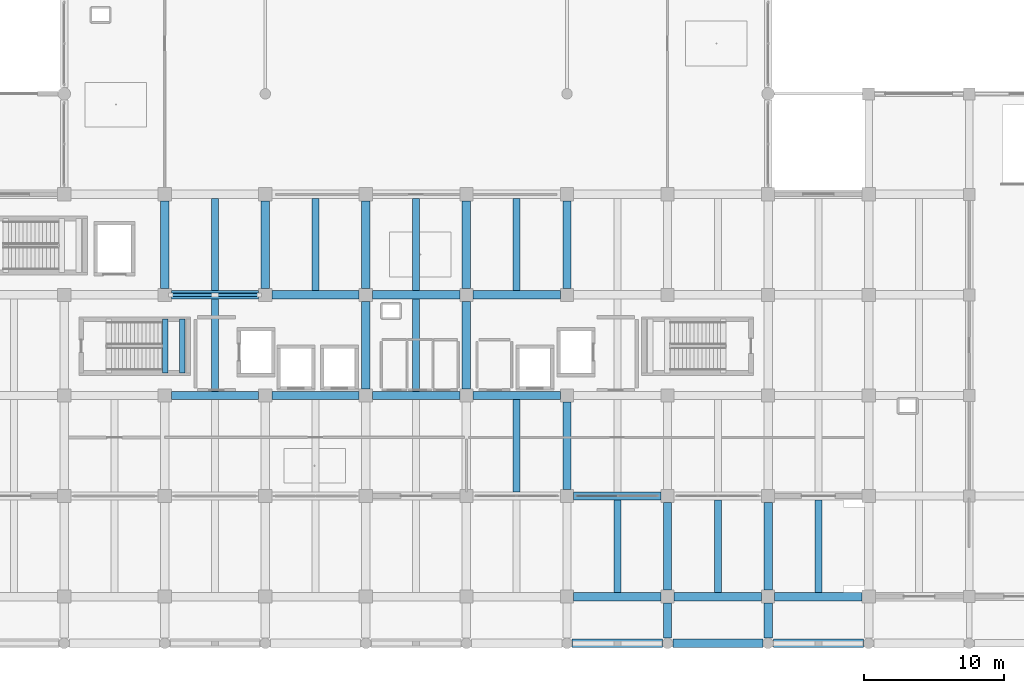
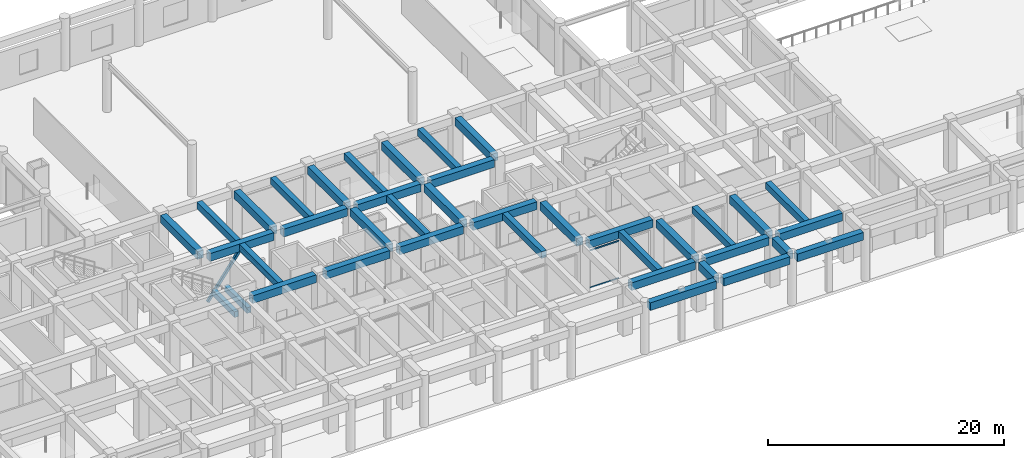
# One storey, part 13 of 56: 39 beams, 4 members, 1 element without a shape of its own.
"""IFC4 building model written with IfcOpenShell, lengths in metres."""

from ifc_helpers import new_model, si_unit, direction, frame, origin, origin_2d, place, context, subcontext, project, spatial, rectangle, hollow_rectangle, extrude, material, material_profile, profile_set, type_object, element, aggregate, save


model = new_model("IFC4")

# Units and contexts
model_context = context("Model", 3, precision=1e-05, world=origin(), true_north=direction((0.0, 1.0)))
body_context = subcontext(model_context, "Body", "Model", "MODEL_VIEW")
ifc_project = project(units=[si_unit("LENGTHUNIT", "METRE"), si_unit("AREAUNIT", "SQUARE_METRE"), si_unit("VOLUMEUNIT", "CUBIC_METRE"), si_unit("PLANEANGLEUNIT", "RADIAN"), si_unit("MASSUNIT", "GRAM", prefix="KILO")], contexts=[model_context])

# Site, building, storey
site_placement = place(None, origin())
site = spatial("IfcSite", under=ifc_project, at=site_placement, CompositionType="ELEMENT")
building_placement = place(site_placement, origin())
building = spatial("IfcBuilding", under=site, at=building_placement, Name="Kazehaya Institute of Natural Sciences", CompositionType="ELEMENT")
storey_placement = place(building_placement, origin())
storey = spatial("IfcBuildingStorey", under=building, at=storey_placement, Name="L00", CompositionType="ELEMENT", Elevation=0.0)

# Beams
ifc_material_1 = material(Name="Concrete Fc36", Category="concrete")
ifc_material_profile_1 = material_profile(ifc_material_1, rectangle(XDim=0.39990234375, YDim=0.60009765625, at=origin_2d()), Name="RC-400x600")
ifc_profile_set_1 = profile_set([ifc_material_profile_1], Name="Concrete Fc36")
beam_type_1 = type_object("IfcBeamType", Name="BM-B-400x600", PredefinedType="BEAM", material=ifc_profile_set_1)
for number, where, z_axis, x_axis, name in (
    (1, (69.030029296875, 22.820068359375, 2.239990234375), (0.0, 1.0, 0.0), (-1.0, 0.0, 0.0), "L00 ST-1 landing beam 1"),
    (2, (70.25, 22.820068359375, 2.239990234375), (0.0, 1.0, 0.0), (-1.0, 0.0, 0.0), "L00 ST-1 landing beam 2"),
):
    element("IfcBeam", number, at=place(storey_placement, frame(where, z_axis=z_axis, x_axis=x_axis)), inside=storey, type_object=beam_type_1, Name=name, PredefinedType="BEAM", context=body_context, shape_type="SweptSolid", body=[
        extrude(rectangle(XDim=0.39990234375, YDim=0.60009765625, at=origin_2d()), origin(), (0.0, 0.0, 1.0), 3.83984375),
    ])
ifc_material_profile_2 = material_profile(ifc_material_1, rectangle(XDim=0.60009765625, YDim=0.800048828125, at=origin_2d()), Name="RC-600x800")
ifc_profile_set_2 = profile_set([ifc_material_profile_2], Name="Concrete Fc36")
beam_type_2 = type_object("IfcBeamType", Name="BM-G-600x800", PredefinedType="BEAM", material=ifc_profile_set_2)
for number, where, z_axis, x_axis, name in (
    (3, (98.175048828125, 3.449951171875, 4.72998046875), (1.0, 0.0, 0.0), (0.0, 1.0, 0.0), "L00 primary X girder BMX-L00-978-34"),
    (4, (105.375, 3.449951171875, 4.72998046875), (1.0, 0.0, 0.0), (0.0, 1.0, 0.0), "L00 primary X girder BMX-L00-1050-34"),
    (5, (112.574951171875, 3.449951171875, 4.72998046875), (1.0, 0.0, 0.0), (0.0, 1.0, 0.0), "L00 primary X girder BMX-L00-1122-34"),
):
    element("IfcBeam", number, at=place(storey_placement, frame(where, z_axis=z_axis, x_axis=x_axis)), inside=storey, type_object=beam_type_2, Name=name, PredefinedType="BEAM", context=body_context, shape_type="SweptSolid", body=[
        extrude(rectangle(XDim=0.60009765625, YDim=0.800048828125, at=origin_2d()), origin(), (0.0, 0.0, 1.0), 6.449951171875),
    ])
for number, where, z_axis, x_axis, name in (
    (6, (98.27490234375, 6.800048828125, 4.72998046875), (1.0, 0.0, 0.0), (0.0, 1.0, 0.0), "L00 primary X girder BMX-L00-978-68"),
    (7, (105.47509765625, 6.800048828125, 4.72998046875), (1.0, 0.0, 0.0), (0.0, 1.0, 0.0), "L00 primary X girder BMX-L00-1050-68"),
    (8, (112.675048828125, 6.800048828125, 4.72998046875), (1.0, 0.0, 0.0), (0.0, 1.0, 0.0), "L00 primary X girder BMX-L00-1122-68"),
    (9, (98.27490234375, 14.0, 4.72998046875), (1.0, 0.0, 0.0), (0.0, 1.0, 0.0), "L00 primary X girder BMX-L00-978-140"),
    (10, (69.47509765625, 21.199951171875, 4.72998046875), (1.0, 0.0, 0.0), (0.0, 1.0, 0.0), "L00 primary X girder BMX-L00-690-212"),
    (11, (76.675048828125, 21.199951171875, 4.72998046875), (1.0, 0.0, 0.0), (0.0, 1.0, 0.0), "L00 primary X girder BMX-L00-762-212"),
    (12, (83.875, 21.199951171875, 4.72998046875), (1.0, 0.0, 0.0), (0.0, 1.0, 0.0), "L00 primary X girder BMX-L00-834-212"),
    (13, (91.074951171875, 21.199951171875, 4.72998046875), (1.0, 0.0, 0.0), (0.0, 1.0, 0.0), "L00 primary X girder BMX-L00-906-212"),
    (14, (69.47509765625, 28.39990234375, 4.72998046875), (1.0, 0.0, 0.0), (0.0, 1.0, 0.0), "L00 primary X girder BMX-L00-690-284"),
    (15, (76.675048828125, 28.39990234375, 4.72998046875), (1.0, 0.0, 0.0), (0.0, 1.0, 0.0), "L00 primary X girder BMX-L00-762-284"),
    (16, (83.875, 28.39990234375, 4.72998046875), (1.0, 0.0, 0.0), (0.0, 1.0, 0.0), "L00 primary X girder BMX-L00-834-284"),
    (17, (91.074951171875, 28.39990234375, 4.72998046875), (1.0, 0.0, 0.0), (0.0, 1.0, 0.0), "L00 primary X girder BMX-L00-906-284"),
    (18, (69.0, 28.875, 4.72998046875), (0.0, 1.0, 0.0), (-1.0, 0.0, 0.0), "L00 primary Y girder BMY-L00-690-284"),
    (19, (76.199951171875, 28.875, 4.72998046875), (0.0, 1.0, 0.0), (-1.0, 0.0, 0.0), "L00 primary Y girder BMY-L00-762-284"),
    (20, (83.39990234375, 21.675048828125, 4.72998046875), (0.0, 1.0, 0.0), (-1.0, 0.0, 0.0), "L00 primary Y girder BMY-L00-834-212"),
    (21, (83.39990234375, 28.875, 4.72998046875), (0.0, 1.0, 0.0), (-1.0, 0.0, 0.0), "L00 primary Y girder BMY-L00-834-284"),
    (22, (90.60009765625, 21.675048828125, 4.72998046875), (0.0, 1.0, 0.0), (-1.0, 0.0, 0.0), "L00 primary Y girder BMY-L00-906-212"),
    (23, (90.60009765625, 28.875, 4.72998046875), (0.0, 1.0, 0.0), (-1.0, 0.0, 0.0), "L00 primary Y girder BMY-L00-906-284"),
    (24, (97.800048828125, 14.47509765625, 4.72998046875), (0.0, 1.0, 0.0), (-1.0, 0.0, 0.0), "L00 primary Y girder BMY-L00-978-140"),
    (25, (97.800048828125, 28.875, 4.72998046875), (0.0, 1.0, 0.0), (-1.0, 0.0, 0.0), "L00 primary Y girder BMY-L00-978-284"),
):
    element("IfcBeam", number, at=place(storey_placement, frame(where, z_axis=z_axis, x_axis=x_axis)), inside=storey, type_object=beam_type_2, Name=name, PredefinedType="BEAM", context=body_context, shape_type="SweptSolid", body=[
        extrude(rectangle(XDim=0.60009765625, YDim=0.800048828125, at=origin_2d()), origin(), (0.0, 0.0, 1.0), 6.25),
    ])
beam_1_placement = place(storey_placement, frame((105.0, 3.824951171875, 4.72998046875), z_axis=(0.0, 1.0, 0.0), x_axis=(-1.0, 0.0, 0.0)))
element("IfcBeam", 26, at=beam_1_placement, inside=storey, type_object=beam_type_2, Name="L00 primary Y girder BMY-L00-1050-34", PredefinedType="BEAM", context=body_context, shape_type="SweptSolid", body=[
    extrude(rectangle(XDim=0.60009765625, YDim=0.800048828125, at=origin_2d()), origin(), (0.0, 0.0, 1.0), 2.5),
])
beam_2_placement = place(storey_placement, frame((105.0, 7.27490234375, 4.72998046875), z_axis=(0.0, 1.0, 0.0), x_axis=(-1.0, 0.0, 0.0)))
element("IfcBeam", 27, at=beam_2_placement, inside=storey, type_object=beam_type_2, Name="L00 primary Y girder BMY-L00-1050-68", PredefinedType="BEAM", context=body_context, shape_type="SweptSolid", body=[
    extrude(rectangle(XDim=0.60009765625, YDim=0.800048828125, at=origin_2d()), origin(), (0.0, 0.0, 1.0), 6.25),
])
beam_3_placement = place(storey_placement, frame((112.199951171875, 3.824951171875, 4.72998046875), z_axis=(0.0, 1.0, 0.0), x_axis=(-1.0, 0.0, 0.0)))
element("IfcBeam", 28, at=beam_3_placement, inside=storey, type_object=beam_type_2, Name="L00 primary Y girder BMY-L00-1122-34", PredefinedType="BEAM", context=body_context, shape_type="SweptSolid", body=[
    extrude(rectangle(XDim=0.60009765625, YDim=0.800048828125, at=origin_2d()), origin(), (0.0, 0.0, 1.0), 2.5),
])
beam_4_placement = place(storey_placement, frame((112.199951171875, 7.27490234375, 4.72998046875), z_axis=(0.0, 1.0, 0.0), x_axis=(-1.0, 0.0, 0.0)))
element("IfcBeam", 29, at=beam_4_placement, inside=storey, type_object=beam_type_2, Name="L00 primary Y girder BMY-L00-1122-68", PredefinedType="BEAM", context=body_context, shape_type="SweptSolid", body=[
    extrude(rectangle(XDim=0.60009765625, YDim=0.800048828125, at=origin_2d()), origin(), (0.0, 0.0, 1.0), 6.25),
])
ifc_material_profile_3 = material_profile(ifc_material_1, rectangle(XDim=0.5, YDim=0.699951171875, at=origin_2d()), Name="RC-500x700")
ifc_profile_set_3 = profile_set([ifc_material_profile_3], Name="Concrete Fc36")
beam_type_3 = type_object("IfcBeamType", Name="BM-J-500x700", PredefinedType="JOIST", material=ifc_profile_set_3)
for number, where, z_axis, x_axis, name in (
    (30, (101.39990234375, 7.10009765625, 4.780029296875), (0.0, 1.0, 0.0), (-1.0, 0.0, 0.0), "L00 secondary lab beam JST-L00-0007"),
    (31, (108.60009765625, 7.10009765625, 4.780029296875), (0.0, 1.0, 0.0), (-1.0, 0.0, 0.0), "L00 secondary lab beam JST-L00-0008"),
    (32, (115.800048828125, 7.10009765625, 4.780029296875), (0.0, 1.0, 0.0), (-1.0, 0.0, 0.0), "L00 secondary lab beam JST-L00-0009"),
    (33, (94.199951171875, 14.300048828125, 4.780029296875), (0.0, 1.0, 0.0), (-1.0, 0.0, 0.0), "L00 secondary lab beam JST-L00-0016"),
):
    element("IfcBeam", number, at=place(storey_placement, frame(where, z_axis=z_axis, x_axis=x_axis)), inside=storey, type_object=beam_type_3, Name=name, PredefinedType="JOIST", context=body_context, shape_type="SweptSolid", body=[
        extrude(rectangle(XDim=0.5, YDim=0.699951171875, at=origin_2d()), origin(), (0.0, 0.0, 1.0), 6.599853515625),
    ])
for number, where, z_axis, x_axis, name in (
    (34, (72.60009765625, 21.5, 4.780029296875), (0.0, 1.0, 0.0), (-1.0, 0.0, 0.0), "L00 secondary lab beam JST-L00-0022"),
    (35, (87.0, 21.5, 4.780029296875), (0.0, 1.0, 0.0), (-1.0, 0.0, 0.0), "L00 secondary lab beam JST-L00-0023"),
    (36, (72.60009765625, 28.699951171875, 4.780029296875), (0.0, 1.0, 0.0), (-1.0, 0.0, 0.0), "L00 secondary lab beam JST-L00-0027"),
    (37, (79.800048828125, 28.699951171875, 4.780029296875), (0.0, 1.0, 0.0), (-1.0, 0.0, 0.0), "L00 secondary lab beam JST-L00-0028"),
    (38, (87.0, 28.699951171875, 4.780029296875), (0.0, 1.0, 0.0), (-1.0, 0.0, 0.0), "L00 secondary lab beam JST-L00-0029"),
    (39, (94.199951171875, 28.699951171875, 4.780029296875), (0.0, 1.0, 0.0), (-1.0, 0.0, 0.0), "L00 secondary lab beam JST-L00-0030"),
):
    element("IfcBeam", number, at=place(storey_placement, frame(where, z_axis=z_axis, x_axis=x_axis)), inside=storey, type_object=beam_type_3, Name=name, PredefinedType="JOIST", context=body_context, shape_type="SweptSolid", body=[
        extrude(rectangle(XDim=0.5, YDim=0.699951171875, at=origin_2d()), origin(), (0.0, 0.0, 1.0), 6.60009765625),
    ])

# Curtain wall, members
ifc_material_2 = material(Name="Aluminium alloy A6063S-T5", Category="aluminium")
curtain_wall_type = type_object("IfcCurtainWallType", Name="CW-SYS-01", PredefinedType="NOTDEFINED", material=ifc_material_2)
curtain_wall_placement = place(storey_placement, origin())
curtain_wall = element("IfcCurtainWall", 40, at=curtain_wall_placement, inside=storey, type_object=curtain_wall_type, Name="L00 unitised curtain wall CW-L00-002", PredefinedType="NOTDEFINED")
ifc_material_profile_4 = material_profile(ifc_material_2, hollow_rectangle(XDim=0.06005859375, YDim=0.139892578125, WallThickness=0.00341796875, at=origin_2d()), Name="ALU-60x140x3.5")
ifc_profile_set_4 = profile_set([ifc_material_profile_4], Name="Aluminium alloy A6063S-T5")
member_type_1 = type_object("IfcMemberType", Name="CWT-140", PredefinedType="USERDEFINED", material=ifc_profile_set_4)
member_1_placement = place(storey_placement, frame((101.3701171875, 14.0, 0.030029296875), z_axis=(-1.0, 0.0, 0.0), x_axis=(0.0, -1.0, 0.0)))
member_1 = element("IfcMember", 41, at=member_1_placement, type_object=member_type_1, Name="CW01 transom 2.1", ObjectType="TRANSOM", PredefinedType="USERDEFINED", context=body_context, shape_type="SweptSolid", body=[
    extrude(hollow_rectangle(XDim=0.06005859375, YDim=0.139892578125, WallThickness=0.00341796875, at=origin_2d()), origin(), (0.0, 0.0, 1.0), 2.8701171875),
])
member_2_placement = place(storey_placement, frame((101.3701171875, 14.0, 3.8701171875), z_axis=(-1.0, 0.0, 0.0), x_axis=(0.0, -1.0, 0.0)))
member_2 = element("IfcMember", 42, at=member_2_placement, type_object=member_type_1, Name="CW01 transom 2.2", ObjectType="TRANSOM", PredefinedType="USERDEFINED", context=body_context, shape_type="SweptSolid", body=[
    extrude(hollow_rectangle(XDim=0.06005859375, YDim=0.139892578125, WallThickness=0.00341796875, at=origin_2d()), origin(), (0.0, 0.0, 1.0), 2.8701171875),
])
aggregate(curtain_wall, [member_1, member_2])

# Members
ifc_material_3 = material(Name="Structural steel BCR295", Category="steel")
ifc_material_profile_5 = material_profile(ifc_material_3, hollow_rectangle(XDim=0.25, YDim=0.25, WallThickness=0.009033203125, InnerFilletRadius=0.012939453125, OuterFilletRadius=0.02197265625, at=origin_2d()), Name="BCR-250x250x9")
ifc_profile_set_5 = profile_set([ifc_material_profile_5], Name="Structural steel BCR295")
member_type_2 = type_object("IfcMemberType", Name="MEM-BR-BCR250", PredefinedType="BRACE", material=ifc_profile_set_5)
for number, where, z_axis, x_axis, name in (
    (43, (69.419921875, 28.39990234375, 0.010009765625), (0.592832596913, 0.0, 0.805325717978), (0.0, 1.0, 0.0), "L00 core spine seismic brace 1"),
    (44, (75.780029296875, 28.39990234375, 0.010009765625), (-0.592803079268, 0.0, 0.805347446268), (0.0, -1.0, 0.0), "L00 core spine seismic brace 2"),
):
    element("IfcMember", number, at=place(storey_placement, frame(where, z_axis=z_axis, x_axis=x_axis)), inside=storey, type_object=member_type_2, Name=name, PredefinedType="BRACE", context=body_context, shape_type="SweptSolid", body=[
        extrude(hollow_rectangle(XDim=0.25, YDim=0.25, WallThickness=0.009033203125, InnerFilletRadius=0.012939453125, OuterFilletRadius=0.02197265625, at=origin_2d()), origin(), (0.0, 0.0, 1.0), 5.3642578125),
    ])

save(model, "model.ifc")
